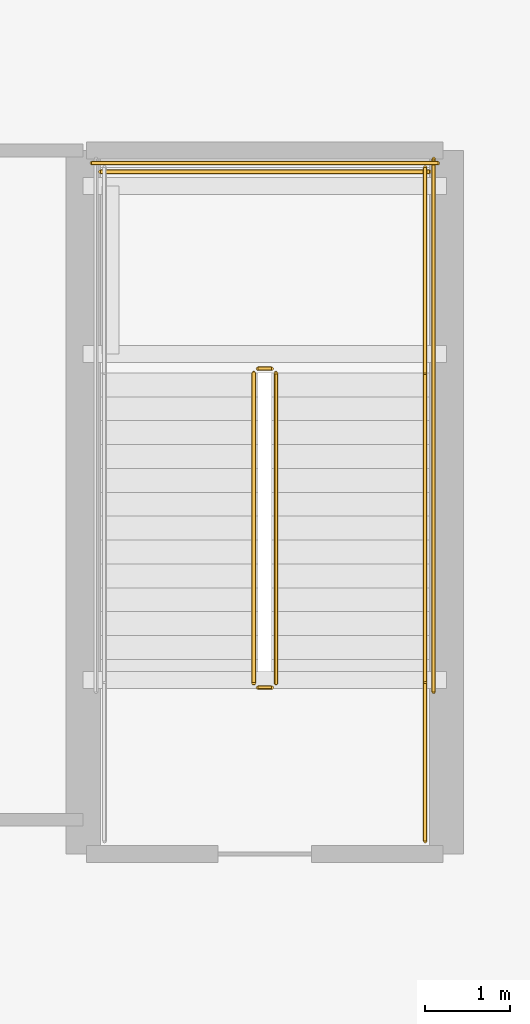
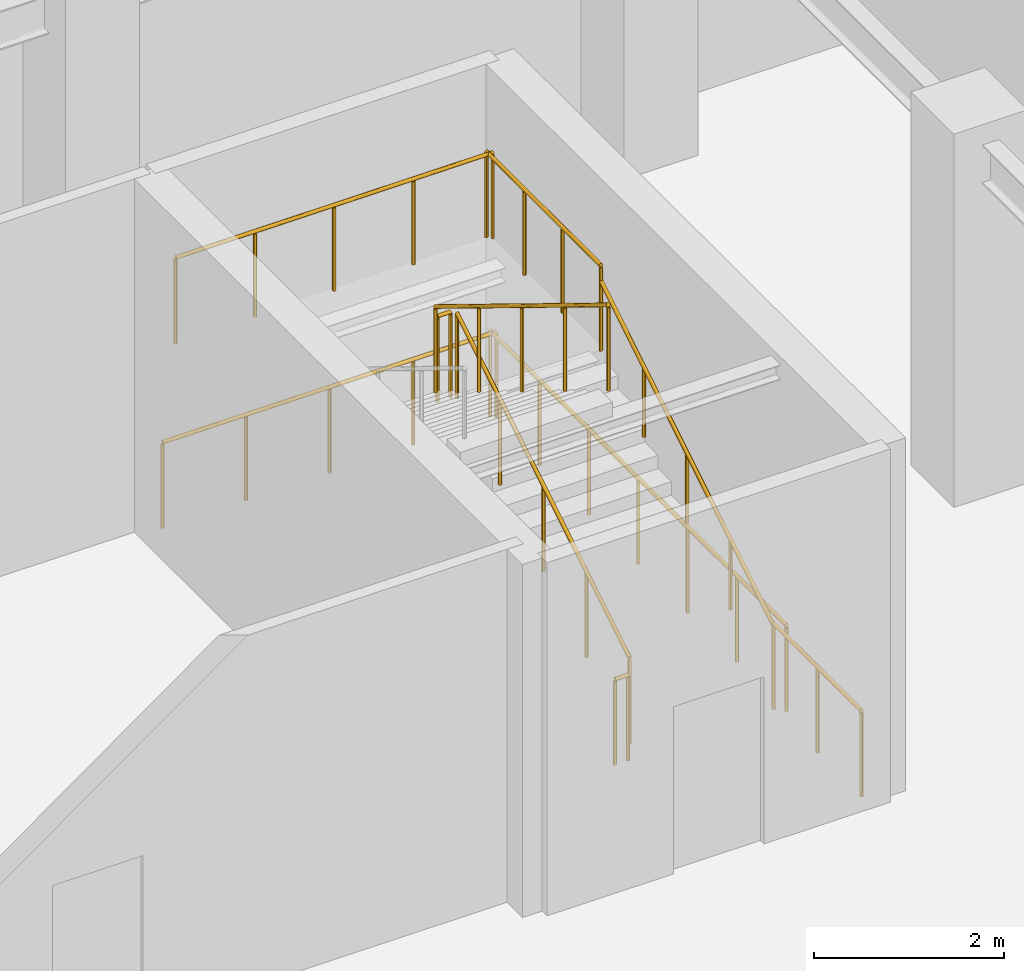
# One storey, part 19 of 19: 10 railings.
"""IFC4 building model written with IfcOpenShell, lengths in metres."""

from ifc_helpers import new_model, si_unit, direction, frame, origin, origin_2d, place, context, subcontext, project, spatial, circle, extrude, material, layer, layer_set, type_object, element, save


model = new_model("IFC4")

# Units and contexts
model_context = context("Model", 3, precision=1e-05, world=origin(), true_north=direction((0.0, 1.0)))
body_context = subcontext(model_context, "Body", "Model", "MODEL_VIEW")
ifc_project = project(units=[si_unit("LENGTHUNIT", "METRE"), si_unit("AREAUNIT", "SQUARE_METRE"), si_unit("VOLUMEUNIT", "CUBIC_METRE"), si_unit("PLANEANGLEUNIT", "RADIAN"), si_unit("MASSUNIT", "GRAM", prefix="KILO")], contexts=[model_context])

# Site, building, storey
site_placement = place(None, origin())
site = spatial("IfcSite", under=ifc_project, at=site_placement, CompositionType="ELEMENT")
building_placement = place(site_placement, origin())
building = spatial("IfcBuilding", under=site, at=building_placement, Name="Yelkora Congress Tower", CompositionType="ELEMENT")
storey_placement = place(building_placement, frame((0.0, 0.0, 15.60009765625)))
storey = spatial("IfcBuildingStorey", under=building, at=storey_placement, Name="L03", CompositionType="ELEMENT", Elevation=15.60009765625)

# Railings
ifc_material_1 = material(Name="Painted galvanised steel stair well guard with vertical infill", Category="steel")
ifc_layer_1 = layer(ifc_material_1, 0.06005859375)
ifc_layer_set_1 = layer_set([ifc_layer_1], Name="Painted galvanised steel stair well guard with vertical infill")
railing_type_1 = type_object("IfcRailingType", Name="RAIL-STAIR-GUARD-1120", PredefinedType="GUARDRAIL", material=ifc_layer_set_1)
railing_1_placement = place(storey_placement, frame((66.659912109375, 39.89990234375, 0.17138671875)))
element("IfcRailing", 1, at=railing_1_placement, inside=storey, type_object=railing_type_1, Name="ST-P2 L03 Stair Well Guardrail 1", PredefinedType="GUARDRAIL", context=body_context, shape_type="SweptSolid", body=[
    extrude(circle(Radius=0.02392578125, at=origin_2d()), frame((0.0, 0.0, 1.09619140625), z_axis=(0.0, 0.852865859571, 0.52213008492), x_axis=(-1.0, 0.0, 0.0)), (0.0, 0.0, 1.0), 4.26806640625),
    extrude(circle(Radius=0.02099609375, at=origin_2d()), origin(), (0.0, 0.0, 1.0), 1.072021484375),
    extrude(circle(Radius=0.02099609375, at=origin_2d()), frame((0.0, 0.91015625, 0.55712890625)), (0.0, 0.0, 1.0), 1.072021484375),
    extrude(circle(Radius=0.02099609375, at=origin_2d()), frame((0.0, 1.820068359375, 1.1142578125)), (0.0, 0.0, 1.0), 1.072021484375),
    extrude(circle(Radius=0.02099609375, at=origin_2d()), frame((0.0, 2.72998046875, 1.67138671875)), (0.0, 0.0, 1.0), 1.072021484375),
    extrude(circle(Radius=0.02099609375, at=origin_2d()), frame((0.0, 3.64013671875, 2.228515625)), (0.0, 0.0, 1.0), 1.072021484375),
])
railing_2_placement = place(storey_placement, frame((66.610107421875, 43.590087890625, 2.39990234375)))
element("IfcRailing", 2, at=railing_2_placement, inside=storey, type_object=railing_type_1, Name="ST-P2 L03 Stair Well Guardrail 2", PredefinedType="GUARDRAIL", context=body_context, shape_type="SweptSolid", body=[
    extrude(circle(Radius=0.02392578125, at=origin_2d()), frame((0.0, 0.0, 1.09619140625), z_axis=(-1.0, 0.0, 0.0), x_axis=(0.0, -1.0, 0.0)), (0.0, 0.0, 1.0), 0.16015625),
    extrude(circle(Radius=0.02099609375, at=origin_2d()), origin(), (0.0, 0.0, 1.0), 1.072021484375),
    extrude(circle(Radius=0.02099609375, at=origin_2d()), frame((-0.16015625, 0.0, 0.0)), (0.0, 0.0, 1.0), 1.072021484375),
])
railing_3_placement = place(storey_placement, frame((68.409912109375, 43.5400390625, 2.39990234375)))
element("IfcRailing", 3, at=railing_3_placement, inside=storey, type_object=railing_type_1, Name="ST-P2 L03 Stair Well Guardrail 3", PredefinedType="GUARDRAIL", context=body_context, shape_type="SweptSolid", body=[
    extrude(circle(Radius=0.02392578125, at=origin_2d()), frame((0.0, 0.0, 1.09619140625), z_axis=(0.0, 1.0, 0.0), x_axis=(-1.0, 0.0, 0.0)), (0.0, 0.0, 1.0), 2.409912109375),
    extrude(circle(Radius=0.02099609375, at=origin_2d()), origin(), (0.0, 0.0, 1.0), 1.072021484375),
    extrude(circle(Radius=0.02099609375, at=origin_2d()), frame((0.0, 0.80322265625, 0.0)), (0.0, 0.0, 1.0), 1.072021484375),
    extrude(circle(Radius=0.02099609375, at=origin_2d()), frame((0.0, 1.606689453125, 0.0)), (0.0, 0.0, 1.0), 1.072021484375),
    extrude(circle(Radius=0.02099609375, at=origin_2d()), frame((0.0, 2.409912109375, 0.0)), (0.0, 0.0, 1.0), 1.072021484375),
])
railing_4_placement = place(storey_placement, frame((68.4599609375, 45.89990234375, 2.39990234375)))
element("IfcRailing", 4, at=railing_4_placement, inside=storey, type_object=railing_type_1, Name="ST-P2 L03 Stair Well Guardrail 5", PredefinedType="GUARDRAIL", context=body_context, shape_type="SweptSolid", body=[
    extrude(circle(Radius=0.02392578125, at=origin_2d()), frame((0.0, 0.0, 1.09619140625), z_axis=(-1.0, 0.0, 0.0), x_axis=(0.0, -1.0, 0.0)), (0.0, 0.0, 1.0), 3.85986328125),
    extrude(circle(Radius=0.02099609375, at=origin_2d()), origin(), (0.0, 0.0, 1.0), 1.072021484375),
    extrude(circle(Radius=0.02099609375, at=origin_2d()), frame((-0.96484375, 0.0, 0.0)), (0.0, 0.0, 1.0), 1.072021484375),
    extrude(circle(Radius=0.02099609375, at=origin_2d()), frame((-1.929931640625, 0.0, 0.0)), (0.0, 0.0, 1.0), 1.072021484375),
    extrude(circle(Radius=0.02099609375, at=origin_2d()), frame((-2.89501953125, 0.0, 0.0)), (0.0, 0.0, 1.0), 1.072021484375),
    extrude(circle(Radius=0.02099609375, at=origin_2d()), frame((-3.85986328125, 0.0, 0.0)), (0.0, 0.0, 1.0), 1.072021484375),
])
railing_5_placement = place(storey_placement, frame((66.39990234375, 43.5400390625, 2.5712890625)))
element("IfcRailing", 5, at=railing_5_placement, inside=storey, type_object=railing_type_1, Name="ST-P2 L03 Stair Well Guardrail 6", PredefinedType="GUARDRAIL", context=body_context, shape_type="SweptSolid", body=[
    extrude(circle(Radius=0.02392578125, at=origin_2d()), frame((0.0, 0.0, 1.09619140625), z_axis=(0.0, -0.852865859571, 0.52213008492), x_axis=(1.0, 0.0, 0.0)), (0.0, 0.0, 1.0), 4.26806640625),
    extrude(circle(Radius=0.02099609375, at=origin_2d()), origin(), (0.0, 0.0, 1.0), 1.072021484375),
    extrude(circle(Radius=0.02099609375, at=origin_2d()), frame((0.0, -0.91015625, 0.55712890625)), (0.0, 0.0, 1.0), 1.072021484375),
    extrude(circle(Radius=0.02099609375, at=origin_2d()), frame((0.0, -1.820068359375, 1.1142578125)), (0.0, 0.0, 1.0), 1.072021484375),
    extrude(circle(Radius=0.02099609375, at=origin_2d()), frame((0.0, -2.72998046875, 1.67138671875)), (0.0, 0.0, 1.0), 1.072021484375),
    extrude(circle(Radius=0.02099609375, at=origin_2d()), frame((0.0, -3.64013671875, 2.228515625)), (0.0, 0.0, 1.0), 1.072021484375),
])
railing_6_placement = place(storey_placement, frame((66.610107421875, 39.85009765625, 0.0)))
element("IfcRailing", 6, at=railing_6_placement, inside=storey, type_object=railing_type_1, Name="ST-P2 L03 Stair Well Guardrail 7", PredefinedType="GUARDRAIL", context=body_context, shape_type="SweptSolid", body=[
    extrude(circle(Radius=0.02392578125, at=origin_2d()), frame((0.0, 0.0, 1.09619140625), z_axis=(-1.0, 0.0, 0.0), x_axis=(0.0, -1.0, 0.0)), (0.0, 0.0, 1.0), 0.16015625),
    extrude(circle(Radius=0.02099609375, at=origin_2d()), origin(), (0.0, 0.0, 1.0), 1.072021484375),
    extrude(circle(Radius=0.02099609375, at=origin_2d()), frame((-0.16015625, 0.0, 0.0)), (0.0, 0.0, 1.0), 1.072021484375),
])
railing_7_placement = place(storey_placement, frame((68.409912109375, 38.050048828125, 0.0)))
element("IfcRailing", 7, at=railing_7_placement, inside=storey, type_object=railing_type_1, Name="ST-P2 L03 Stair Well Guardrail 8", PredefinedType="GUARDRAIL", context=body_context, shape_type="SweptSolid", body=[
    extrude(circle(Radius=0.02392578125, at=origin_2d()), frame((0.0, 0.0, 1.09619140625), z_axis=(0.0, 1.0, 0.0), x_axis=(-1.0, 0.0, 0.0)), (0.0, 0.0, 1.0), 1.849853515625),
    extrude(circle(Radius=0.02099609375, at=origin_2d()), origin(), (0.0, 0.0, 1.0), 1.072021484375),
    extrude(circle(Radius=0.02099609375, at=origin_2d()), frame((0.0, 0.9248046875, 0.0)), (0.0, 0.0, 1.0), 1.072021484375),
    extrude(circle(Radius=0.02099609375, at=origin_2d()), frame((0.0, 1.849853515625, 0.0)), (0.0, 0.0, 1.0), 1.072021484375),
])
railing_8_placement = place(storey_placement, frame((68.510009765625, 39.800048828125, 0.0)))
element("IfcRailing", 8, at=railing_8_placement, inside=storey, type_object=railing_type_1, Name="ST-P2 L03 Stair Well Guardrail 10", PredefinedType="GUARDRAIL", context=body_context, shape_type="SweptSolid", body=[
    extrude(circle(Radius=0.02392578125, at=origin_2d()), frame((0.0, 0.0, 1.09619140625), z_axis=(0.0, 1.0, 0.0), x_axis=(-1.0, 0.0, 0.0)), (0.0, 0.0, 1.0), 6.25),
    extrude(circle(Radius=0.02099609375, at=origin_2d()), origin(), (0.0, 0.0, 1.0), 1.072021484375),
    extrude(circle(Radius=0.02099609375, at=origin_2d()), frame((0.0, 1.041748046875, 0.0)), (0.0, 0.0, 1.0), 1.072021484375),
    extrude(circle(Radius=0.02099609375, at=origin_2d()), frame((0.0, 2.083251953125, 0.0)), (0.0, 0.0, 1.0), 1.072021484375),
    extrude(circle(Radius=0.02099609375, at=origin_2d()), frame((0.0, 3.125, 0.0)), (0.0, 0.0, 1.0), 1.072021484375),
    extrude(circle(Radius=0.02099609375, at=origin_2d()), frame((0.0, 4.166748046875, 0.0)), (0.0, 0.0, 1.0), 1.072021484375),
    extrude(circle(Radius=0.02099609375, at=origin_2d()), frame((0.0, 5.208251953125, 0.0)), (0.0, 0.0, 1.0), 1.072021484375),
    extrude(circle(Radius=0.02099609375, at=origin_2d()), frame((0.0, 6.25, 0.0)), (0.0, 0.0, 1.0), 1.072021484375),
])
railing_9_placement = place(storey_placement, frame((68.56005859375, 46.0, 0.0)))
element("IfcRailing", 9, at=railing_9_placement, inside=storey, type_object=railing_type_1, Name="ST-P2 L03 Stair Well Guardrail 12", PredefinedType="GUARDRAIL", context=body_context, shape_type="SweptSolid", body=[
    extrude(circle(Radius=0.02392578125, at=origin_2d()), frame((0.0, 0.0, 1.09619140625), z_axis=(-1.0, 0.0, 0.0), x_axis=(0.0, -1.0, 0.0)), (0.0, 0.0, 1.0), 4.06005859375),
    extrude(circle(Radius=0.02099609375, at=origin_2d()), origin(), (0.0, 0.0, 1.0), 1.072021484375),
    extrude(circle(Radius=0.02099609375, at=origin_2d()), frame((-1.01513671875, 0.0, 0.0)), (0.0, 0.0, 1.0), 1.072021484375),
    extrude(circle(Radius=0.02099609375, at=origin_2d()), frame((-2.030029296875, 0.0, 0.0)), (0.0, 0.0, 1.0), 1.072021484375),
    extrude(circle(Radius=0.02099609375, at=origin_2d()), frame((-3.044921875, 0.0, 0.0)), (0.0, 0.0, 1.0), 1.072021484375),
    extrude(circle(Radius=0.02099609375, at=origin_2d()), frame((-4.06005859375, 0.0, 0.0)), (0.0, 0.0, 1.0), 1.072021484375),
])
ifc_material_2 = material(Name="Brushed stainless steel tubular handrail", Category="steel")
ifc_layer_2 = layer(ifc_material_2, 0.050048828125)
ifc_layer_set_2 = layer_set([ifc_layer_2], Name="Brushed stainless steel tubular handrail")
railing_type_2 = type_object("IfcRailingType", Name="RAIL-STAIR-HAND-920", PredefinedType="HANDRAIL", material=ifc_layer_set_2)
railing_10_placement = place(storey_placement, frame((68.409912109375, 39.89990234375, 0.17138671875)))
element("IfcRailing", 10, at=railing_10_placement, inside=storey, type_object=railing_type_2, Name="ST-P2 L03 Pitch Handrail 1", PredefinedType="HANDRAIL", context=body_context, shape_type="SweptSolid", body=[
    extrude(circle(Radius=0.02392578125, at=origin_2d()), frame((0.0, 0.0, 0.89599609375), z_axis=(0.0, 0.852865859571, 0.52213008492), x_axis=(-1.0, 0.0, 0.0)), (0.0, 0.0, 1.0), 4.26806640625),
    extrude(circle(Radius=0.02099609375, at=origin_2d()), origin(), (0.0, 0.0, 1.0), 0.871826171875),
    extrude(circle(Radius=0.02099609375, at=origin_2d()), frame((0.0, 0.91015625, 0.55712890625)), (0.0, 0.0, 1.0), 0.871826171875),
    extrude(circle(Radius=0.02099609375, at=origin_2d()), frame((0.0, 1.820068359375, 1.1142578125)), (0.0, 0.0, 1.0), 0.871826171875),
    extrude(circle(Radius=0.02099609375, at=origin_2d()), frame((0.0, 2.72998046875, 1.67138671875)), (0.0, 0.0, 1.0), 0.871826171875),
    extrude(circle(Radius=0.02099609375, at=origin_2d()), frame((0.0, 3.64013671875, 2.228515625)), (0.0, 0.0, 1.0), 0.871826171875),
])

save(model, "model.ifc")
